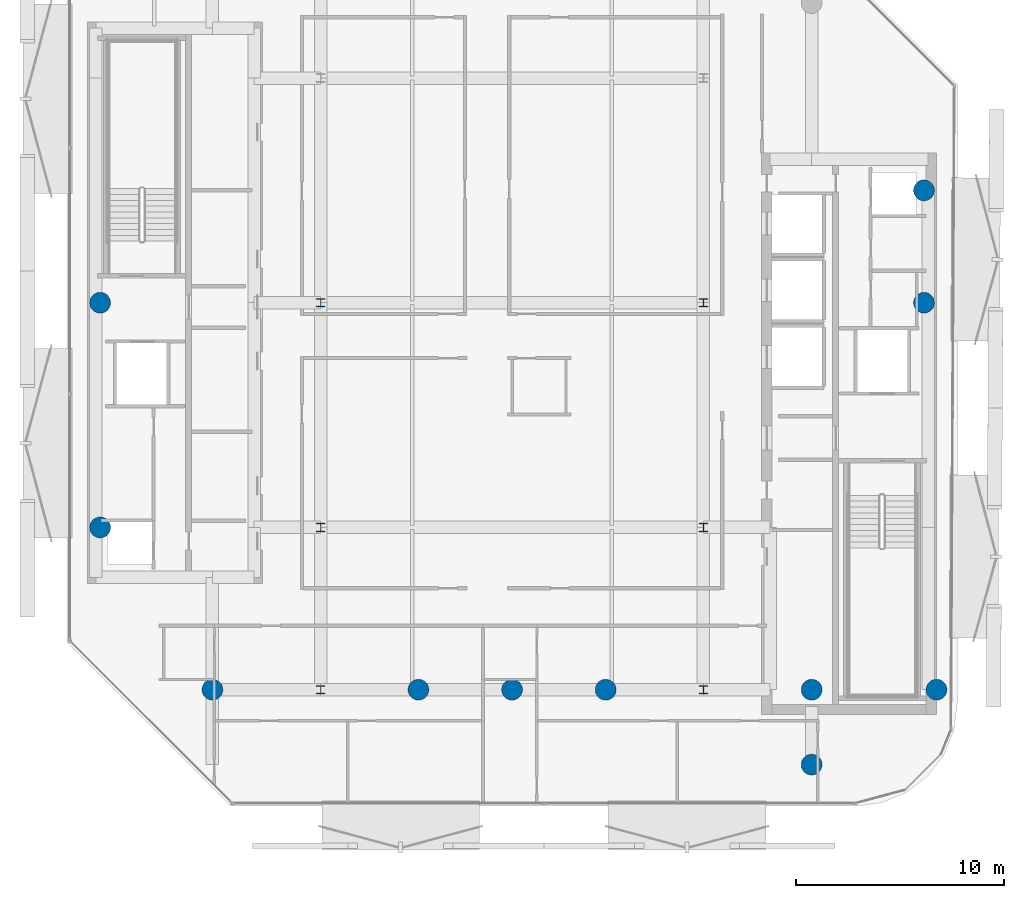
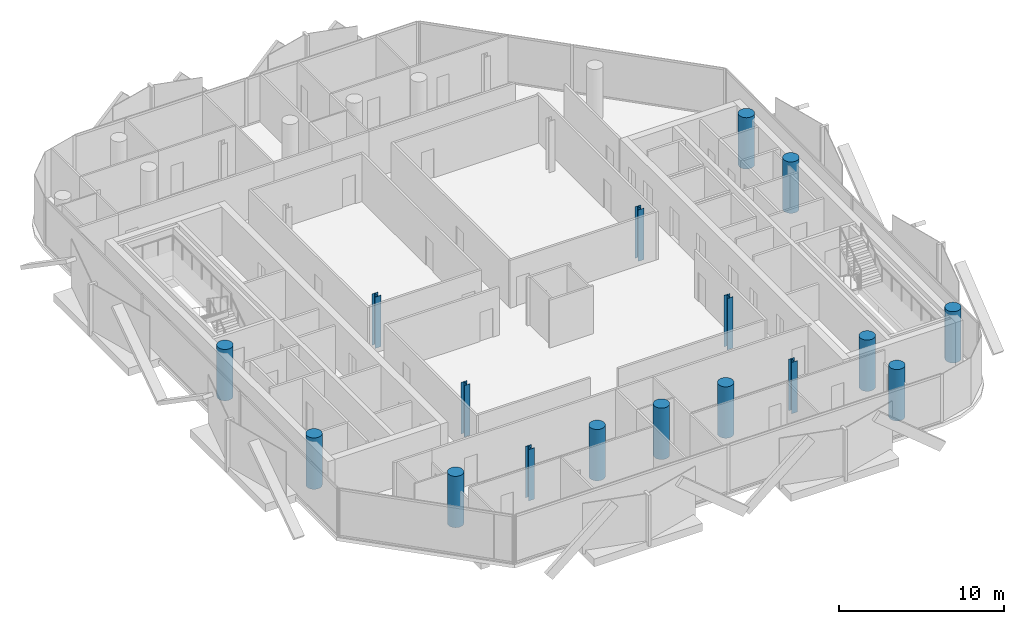
# One storey, part 1 of 16: 17 columns.
"""IFC4 building model written with IfcOpenShell, lengths in metres."""

from ifc_helpers import new_model, si_unit, direction, frame, origin, origin_2d, place, context, subcontext, project, spatial, circle, i_section, extrude, material, material_profile, profile_set, type_object, element, save


model = new_model("IFC4")

# Units and contexts
model_context = context("Model", 3, precision=1e-05, world=origin(), true_north=direction((0.0, 1.0)))
body_context = subcontext(model_context, "Body", "Model", "MODEL_VIEW")
ifc_project = project(units=[si_unit("LENGTHUNIT", "METRE"), si_unit("AREAUNIT", "SQUARE_METRE"), si_unit("VOLUMEUNIT", "CUBIC_METRE"), si_unit("PLANEANGLEUNIT", "RADIAN"), si_unit("MASSUNIT", "GRAM", prefix="KILO")], contexts=[model_context])

# Site, building, storey
site_placement = place(None, origin())
site = spatial("IfcSite", under=ifc_project, at=site_placement, CompositionType="ELEMENT")
building_placement = place(site_placement, origin())
building = spatial("IfcBuilding", under=site, at=building_placement, Name="Khairoan Windgate Tower", CompositionType="ELEMENT")
storey_placement = place(building_placement, frame((0.0, 0.0, 300.39990234375)))
storey = spatial("IfcBuildingStorey", under=building, at=storey_placement, Name="L72", CompositionType="ELEMENT", Elevation=300.39990234375)

# Columns
ifc_material_1 = material(Name="Concrete C60/75", Category="concrete")
ifc_material_profile_1 = material_profile(ifc_material_1, circle(Radius=0.5, at=origin_2d()))
ifc_profile_set_1 = profile_set([ifc_material_profile_1], Name="Concrete C60/75")
column_type_1 = type_object("IfcColumnType", Name="Column C-P1 RC-D1000", PredefinedType="COLUMN", material=ifc_profile_set_1)
for number, where, z_axis, x_axis, name in (
    (1, (20.39990234375, -18.60009765625, 0.0), (0.0, 0.0, 1.0), (1.0, 0.0, 0.0), "Column L72-12"),
    (2, (-14.39990234375, -18.60009765625, 0.0), (0.0, 0.0, 1.0), (1.0, 0.0, 0.0), "Column L72-13"),
    (3, (14.39990234375, -18.60009765625, 0.0), (0.0, 0.0, 1.0), (1.0, 0.0, 0.0), "Column L72-15"),
    (4, (-4.5, -18.60009765625, 0.0), (0.0, 0.0, 1.0), (1.0, 0.0, 0.0), "Column L72-17"),
    (5, (0.0, -18.60009765625, 0.0), (0.0, 0.0, 1.0), (1.0, 0.0, 0.0), "Column L72-18"),
    (6, (4.5, -18.60009765625, 0.0), (0.0, 0.0, 1.0), (1.0, 0.0, 0.0), "Column L72-19"),
    (7, (-19.800048828125, -10.800048828125, 0.0), (0.0, 0.0, 1.0), (1.0, 0.0, 0.0), "Column L72-23"),
    (8, (-19.800048828125, 0.0, 0.0), (0.0, 0.0, 1.0), (1.0, 0.0, 0.0), "Column L72-24"),
    (9, (19.800048828125, 0.0, 0.0), (0.0, 0.0, 1.0), (1.0, 0.0, 0.0), "Column L72-25"),
    (10, (19.800048828125, 5.39990234375, 0.0), (0.0, 0.0, 1.0), (1.0, 0.0, 0.0), "Column L72-26"),
    (11, (14.39990234375, -22.199951171875, 0.0), (0.0, 0.0, 1.0), (1.0, 0.0, 0.0), "Column L72-28"),
):
    element("IfcColumn", number, at=place(storey_placement, frame(where, z_axis=z_axis, x_axis=x_axis)), inside=storey, type_object=column_type_1, Name=name, PredefinedType="COLUMN", context=body_context, shape_type="SweptSolid", body=[
        extrude(circle(Radius=0.5, at=origin_2d()), origin(), (0.0, 0.0, 1.0), 3.800048828125),
    ])
ifc_material_2 = material(Name="Steel S355", Category="steel")
ifc_material_profile_2 = material_profile(ifc_material_2, i_section(OverallWidth=0.39990234375, OverallDepth=0.39990234375, WebThickness=0.012939453125, FlangeThickness=0.02099609375, FilletRadius=0.02197265625, at=origin_2d()))
ifc_profile_set_2 = profile_set([ifc_material_profile_2], Name="Steel S355")
column_type_2 = type_object("IfcColumnType", Name="Steel Column SC4 H400x400x13x21", PredefinedType="COLUMN", material=ifc_profile_set_2)
for number, where, z_axis, x_axis, name in (
    (12, (-9.199951171875, -18.60009765625, 0.0), (0.0, 0.0, 1.0), (1.0, 0.0, 0.0), "Column L72-01"),
    (13, (-9.199951171875, -10.800048828125, 0.0), (0.0, 0.0, 1.0), (1.0, 0.0, 0.0), "Column L72-02"),
    (14, (-9.199951171875, 0.0, 0.0), (0.0, 0.0, 1.0), (1.0, 0.0, 0.0), "Column L72-03"),
    (15, (9.199951171875, -18.60009765625, 0.0), (0.0, 0.0, 1.0), (1.0, 0.0, 0.0), "Column L72-06"),
    (16, (9.199951171875, -10.800048828125, 0.0), (0.0, 0.0, 1.0), (1.0, 0.0, 0.0), "Column L72-07"),
    (17, (9.199951171875, 0.0, 0.0), (0.0, 0.0, 1.0), (1.0, 0.0, 0.0), "Column L72-08"),
):
    element("IfcColumn", number, at=place(storey_placement, frame(where, z_axis=z_axis, x_axis=x_axis)), inside=storey, type_object=column_type_2, Name=name, PredefinedType="COLUMN", context=body_context, shape_type="SweptSolid", body=[
        extrude(i_section(OverallWidth=0.39990234375, OverallDepth=0.39990234375, WebThickness=0.012939453125, FlangeThickness=0.02099609375, FilletRadius=0.02197265625, at=origin_2d()), origin(), (0.0, 0.0, 1.0), 3.800048828125),
    ])

save(model, "model.ifc")
